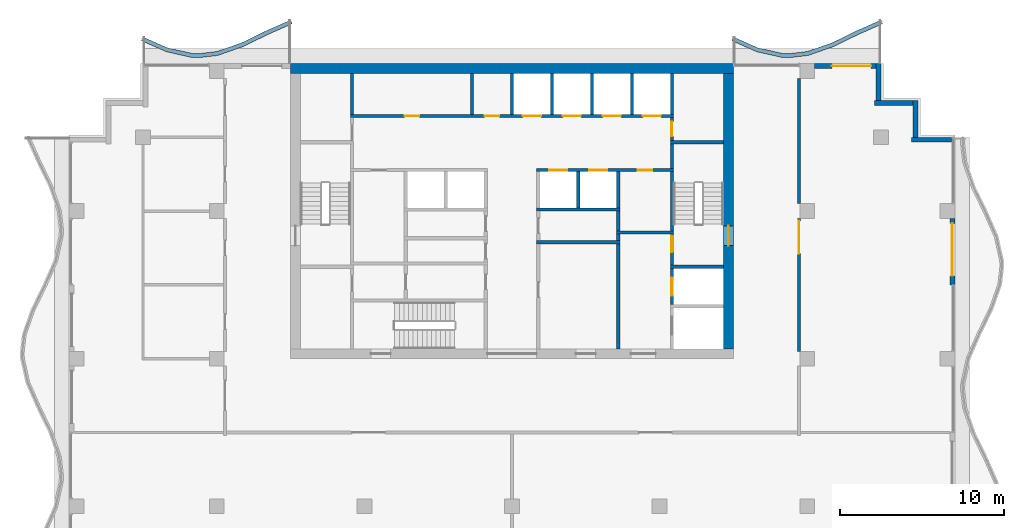
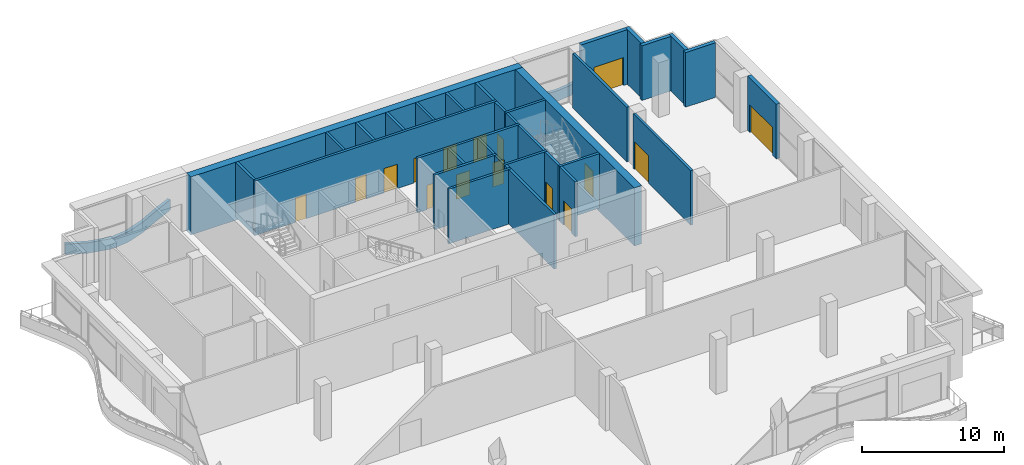
# One storey, part 9 of 14: 36 walls, 16 doors, 16 openings.
"""IFC4 building model written with IfcOpenShell, lengths in metres."""

import ifcopenshell
import ifcopenshell.guid

model = None  # the IFC model being written
_history = None  # IfcOwnerHistory: only IFC2X3 demands one
_inside = {}  # id of a spatial element -> (the spatial element, [elements in it])
_under = {}  # id of a project, library or spatial element -> (it, [spatial elements below it])
_declared = {}  # id of a project -> (the project, [libraries it declares])
_typed = {}  # id of a type object -> (the type object, [elements of that type])
_made_of = {}  # id of a material, layer set ... -> (it, [elements and type objects made of it])


def new_model(schema):
    """Start an empty IFC model of exactly this schema.

    Asked for "IFC4X3", IfcOpenShell would pick the latest addendum, in which some entities
    have other attributes; the version numbers below select the first issue.
    IFC2X3 requires an IfcOwnerHistory on every rooted entity: one is made here for all.
    """
    global model, _history
    if schema == "IFC4X3":
        model = ifcopenshell.file(schema_version=(4, 3, 0, 0))
    else:
        model = ifcopenshell.file(schema=schema)
    _inside.clear()
    _under.clear()
    _declared.clear()
    _typed.clear()
    _made_of.clear()
    _history = None
    if model.schema == "IFC2X3":
        org = make("IfcOrganization", Name="unknown")
        user = make(
            "IfcPersonAndOrganization",
            ThePerson=make("IfcPerson", FamilyName="unknown"),
            TheOrganization=org,
        )
        app = make(
            "IfcApplication",
            ApplicationDeveloper=org,
            Version="unknown",
            ApplicationFullName="unknown",
            ApplicationIdentifier="unknown",
        )
        _history = make(
            "IfcOwnerHistory",
            OwningUser=user,
            OwningApplication=app,
            ChangeAction="ADDED",
            CreationDate=0,
        )
    return model


def make(cls, **values):
    """One entity of the class cls with the attributes given. An attribute that is None is left unset."""
    return model.create_entity(
        cls, **{name: value for name, value in values.items() if value is not None}
    )


def rooted(cls, **values):
    """An entity with a GlobalId (a new one), such as an element, a storey or a relation."""
    return make(cls, GlobalId=ifcopenshell.guid.new(), OwnerHistory=_history, **values)


def si_unit(unit_type, name, prefix=None):
    """IfcSIUnit, for example si_unit("LENGTHUNIT", "METRE", prefix="MILLI")."""
    return make("IfcSIUnit", UnitType=unit_type, Prefix=prefix, Name=name)


def assignment(units):
    """IfcUnitAssignment: the units of a project."""
    return None if units is None else make("IfcUnitAssignment", Units=units)


def point(xyz):
    """IfcCartesianPoint."""
    return None if xyz is None else make("IfcCartesianPoint", Coordinates=xyz)


def direction(xyz):
    """IfcDirection."""
    return None if xyz is None else make("IfcDirection", DirectionRatios=xyz)


def frame(location, z_axis=None, x_axis=None):
    """IfcAxis2Placement3D, a coordinate frame: its origin and axes. An axis left out is left unset."""
    return make(
        "IfcAxis2Placement3D",
        Location=point(location),
        Axis=direction(z_axis),
        RefDirection=direction(x_axis),
    )


def frame_2d(location, x_axis=None):
    """IfcAxis2Placement2D, a coordinate frame in the plane: its origin and x axis."""
    return make(
        "IfcAxis2Placement2D", Location=point(location), RefDirection=direction(x_axis)
    )


def origin():
    """The frame at (0, 0, 0) with its axes left unset."""
    return frame((0.0, 0.0, 0.0))


def place(relative_to, where):
    """IfcLocalPlacement: puts the frame where relative to a parent placement (None: the world)."""
    return make(
        "IfcLocalPlacement", PlacementRelTo=relative_to, RelativePlacement=where
    )


def context(
    kind, dimensions, precision=None, world=None, true_north=None, identifier=None
):
    """IfcGeometricRepresentationContext, for example the 3D "Model" context."""
    return make(
        "IfcGeometricRepresentationContext",
        ContextIdentifier=identifier,
        ContextType=kind,
        CoordinateSpaceDimension=dimensions,
        Precision=precision,
        WorldCoordinateSystem=world,
        TrueNorth=true_north,
    )


def subcontext(parent, identifier, kind, view, scale=None):
    """IfcGeometricRepresentationSubContext, for example "Body" below "Model"."""
    return make(
        "IfcGeometricRepresentationSubContext",
        ContextIdentifier=identifier,
        ContextType=kind,
        ParentContext=parent,
        TargetScale=scale,
        TargetView=view,
    )


def project(units=None, contexts=None):
    """IfcProject with its units and contexts."""
    return rooted(
        "IfcProject",
        Name="project",
        RepresentationContexts=contexts,
        UnitsInContext=assignment(units),
    )


def spatial(cls, under=None, at=None, **own):
    """A site, building, storey or space (cls), placed at a placement, below another one or the project."""
    s = rooted(cls, ObjectPlacement=at, **own)
    if under is not None:
        _under.setdefault(under.id(), (under, []))[1].append(s)
    return s


def polyline(points):
    """IfcPolyline through the points."""
    return make("IfcPolyline", Points=[point(p) for p in points])


def profile(cls, at=None, kind="AREA", **sizes):
    """A parametric profile (cls). Its sizes go by their IFC names, for example OverallWidth=200.0."""
    return make(cls, ProfileType=kind, Position=at, **sizes)


def rectangle(**sizes):
    """IfcRectangleProfileDef."""
    return profile("IfcRectangleProfileDef", **sizes)


def outline(outer, holes=None, kind="AREA"):
    """IfcArbitraryClosedProfileDef: a profile drawn as a closed curve; with holes, ...WithVoids."""
    if holes is None:
        return make("IfcArbitraryClosedProfileDef", ProfileType=kind, OuterCurve=outer)
    return make(
        "IfcArbitraryProfileDefWithVoids",
        ProfileType=kind,
        OuterCurve=outer,
        InnerCurves=holes,
    )


def extrude(swept, where, along, depth):
    """IfcExtrudedAreaSolid: the profile swept, set in the frame where, extruded along a direction by depth."""
    return make(
        "IfcExtrudedAreaSolid",
        SweptArea=swept,
        Position=where,
        ExtrudedDirection=direction(along),
        Depth=depth,
    )


def shape(context_of_items, identifier, shape_type, items):
    """IfcShapeRepresentation: the items that make up one representation, for example the "Body"."""
    return make(
        "IfcShapeRepresentation",
        ContextOfItems=context_of_items,
        RepresentationIdentifier=identifier,
        RepresentationType=shape_type,
        Items=items,
    )


def material(Name=None, Category=None):
    """IfcMaterial."""
    return make("IfcMaterial", Name=Name, Category=Category)


def layer(
    of_material, thickness, ventilated=None, Name=None, Category=None, Priority=None
):
    """IfcMaterialLayer: one layer of a wall or slab, of a material (None: an air gap)."""
    return make(
        "IfcMaterialLayer",
        Material=of_material,
        LayerThickness=thickness,
        IsVentilated=ventilated,
        Name=Name,
        Category=Category,
        Priority=Priority,
    )


def layer_set(layers, Name=None):
    """IfcMaterialLayerSet."""
    return make("IfcMaterialLayerSet", MaterialLayers=layers, LayerSetName=Name)


def made_of(thing, what):
    """Note that an element or type object is made of a material, layer set ...; save() writes the relation."""
    if what is not None:
        _made_of.setdefault(what.id(), (what, []))[1].append(thing)
    return thing


def type_object(cls, material=None, **own):
    """A type object (cls), such as IfcWallType, which elements share."""
    return made_of(rooted(cls, **own), material)


def element(
    cls,
    number,
    at=None,
    inside=None,
    cuts=None,
    type_object=None,
    material=None,
    context=None,
    identifier="Body",
    shape_type=None,
    held_by="IfcProductDefinitionShape",
    body=None,
    shapes=None,
    **own,
):
    """One element of the class cls, such as IfcWall. Its Tag is "e" and its number.

    at: its placement. inside: the storey or other place that contains it. cuts: it is an
    opening in that element (IfcRelVoidsElement). A single representation is given by context,
    identifier, shape_type and body (its items); several are given by shapes. held_by: the class
    of the entity that holds the representations. save() writes the other relations.
    """
    e = rooted(cls, Tag="e%d" % number, ObjectPlacement=at, **own)
    if body is not None:
        shapes = [shape(context, identifier, shape_type, body)]
    if shapes is not None:
        e.Representation = make(held_by, Representations=shapes)
    if inside is not None:
        _inside.setdefault(inside.id(), (inside, []))[1].append(e)
    if cuts is not None:
        rooted(
            "IfcRelVoidsElement", RelatingBuildingElement=cuts, RelatedOpeningElement=e
        )
    if type_object is not None:
        _typed.setdefault(type_object.id(), (type_object, []))[1].append(e)
    return made_of(e, material)


def fill(opening, filler):
    """IfcRelFillsElement: the door or window that sits in an opening."""
    return rooted(
        "IfcRelFillsElement",
        RelatingOpeningElement=opening,
        RelatedBuildingElement=filler,
    )


def aggregate(whole, parts):
    """IfcRelAggregates: a whole, such as a stair, and the parts it consists of."""
    return rooted("IfcRelAggregates", RelatingObject=whole, RelatedObjects=parts)


def save(model, path):
    """Write the relations noted so far, then the file.

    IfcRelAggregates (storeys below a building ...), IfcRelContainedInSpatialStructure (elements
    in a storey), IfcRelDefinesByType, IfcRelAssociatesMaterial and IfcRelDeclares: one each for
    every whole, place, type object, material and project.
    """
    for whole, parts in _under.values():
        aggregate(whole, parts)
    for where, things in _inside.values():
        rooted(
            "IfcRelContainedInSpatialStructure",
            RelatedElements=things,
            RelatingStructure=where,
        )
    for kind, things in _typed.values():
        rooted("IfcRelDefinesByType", RelatedObjects=things, RelatingType=kind)
    for what, things in _made_of.values():
        rooted("IfcRelAssociatesMaterial", RelatedObjects=things, RelatingMaterial=what)
    for by, libraries in _declared.values():
        rooted("IfcRelDeclares", RelatingContext=by, RelatedDefinitions=libraries)
    model.write(path)


model = new_model("IFC4")

# Units and contexts
model_context = context("Model", 3, precision=1e-05, world=origin(), true_north=direction((0.0, 1.0)))
body_context = subcontext(model_context, "Body", "Model", "MODEL_VIEW")
ifc_project = project(units=[si_unit("LENGTHUNIT", "METRE"), si_unit("AREAUNIT", "SQUARE_METRE"), si_unit("VOLUMEUNIT", "CUBIC_METRE"), si_unit("PLANEANGLEUNIT", "RADIAN"), si_unit("MASSUNIT", "GRAM", prefix="KILO")], contexts=[model_context])

# Site, building, storey
site_placement = place(None, origin())
site = spatial("IfcSite", under=ifc_project, at=site_placement, CompositionType="ELEMENT")
building_placement = place(site_placement, origin())
building = spatial("IfcBuilding", under=site, at=building_placement, Name="Orbiselva Terraces", CompositionType="ELEMENT")
storey_placement = place(building_placement, frame((0.0, 0.0, 284.4)))
storey = spatial("IfcBuildingStorey", under=building, at=storey_placement, Name="L72", CompositionType="ELEMENT", Elevation=284.4)

# Wall, opening, door
ifc_material_1 = material(Name="Concrete C80/95", Category="concrete")
ifc_layer_1 = layer(ifc_material_1, 0.6)
ifc_layer_set_1 = layer_set([ifc_layer_1], Name="Concrete C80/95")
wall_type_1 = type_object("IfcWallType", Name="CORE WALL 600", PredefinedType="SHEAR", material=ifc_layer_set_1)
wall_1_placement = place(storey_placement, frame((13.2, 5.1, -0.3), z_axis=(0.0, 0.0, 1.0), x_axis=(0.0, 1.0, 0.0)))
wall_1 = element("IfcWall", 1, at=wall_1_placement, inside=storey, type_object=wall_type_1, Name="Core wall L72 east", PredefinedType="SHEAR", context=body_context, shape_type="SweptSolid", body=[
    extrude(rectangle(XDim=16.8, YDim=0.6, at=frame_2d((8.4, 0.0))), origin(), (0.0, 0.0, 1.0), 5.0),
])
opening_1_placement = place(wall_1_placement, frame((6.3, 0.0, 0.3)))
opening_1 = element("IfcOpeningElement", 2, at=opening_1_placement, cuts=wall_1, Name="Opening DS1200", PredefinedType="OPENING", context=body_context, shape_type="SweptSolid", body=[
    extrude(rectangle(XDim=1.2, YDim=2.2, at=frame_2d((0.6, 1.1))), frame((0.0, 0.31, 0.0), z_axis=(0.0, -1.0, 0.0), x_axis=(1.0, 0.0, 0.0)), (0.0, 0.0, 1.0), 0.62),
])
ifc_material_2 = material(Name="Steel fire door", Category="steel")
door_type_1 = type_object("IfcDoorType", Name="STAIR DOOR 1200", OperationType="NOTDEFINED", PredefinedType="DOOR", material=ifc_material_2)
door_1_placement = place(opening_1_placement, frame((1.2, 0.0, 0.0), z_axis=(0.0, 0.0, 1.0), x_axis=(-1.0, 0.0, 0.0)))
door_1 = element("IfcDoor", 3, at=door_1_placement, inside=storey, type_object=door_type_1, Name="L72 EXIT STAIR S2 door", OperationType="SINGLE_SWING_LEFT", OverallHeight=2.2, OverallWidth=1.2, PredefinedType="DOOR", context=body_context, shape_type="SweptSolid", body=[
    extrude(rectangle(XDim=1.2, YDim=2.2, at=frame_2d((0.6, 1.1))), frame((0.0, 0.025, 0.0), z_axis=(0.0, -1.0, 0.0), x_axis=(1.0, 0.0, 0.0)), (0.0, 0.0, 1.0), 0.05),
])
fill(opening_1, door_1)

# Walls
ifc_layer_2 = layer(ifc_material_1, 0.6)
ifc_layer_set_2 = layer_set([ifc_layer_2], Name="Concrete C80/95")
wall_type_2 = type_object("IfcWallType", Name="CORE WALL 600 EXTERNAL", PredefinedType="SHEAR", material=ifc_layer_set_2)
wall_2_placement = place(storey_placement, frame((13.5, 22.2, -0.3), z_axis=(0.0, 0.0, 1.0), x_axis=(-1.0, 0.0, 0.0)))
element("IfcWall", 4, at=wall_2_placement, inside=storey, type_object=wall_type_2, Name="Core wall L72 north", PredefinedType="SHEAR", context=body_context, shape_type="SweptSolid", body=[
    extrude(rectangle(XDim=27.0, YDim=0.6, at=frame_2d((13.5, 0.0))), origin(), (0.0, 0.0, 1.0), 5.0),
])
ifc_material_3 = material(Name="Masonry blockwork", Category="masonry")
ifc_layer_3 = layer(ifc_material_3, 0.2)
ifc_layer_set_3 = layer_set([ifc_layer_3], Name="Masonry blockwork")
wall_type_3 = type_object("IfcWallType", Name="CORE-WALL-PARTITION-200", PredefinedType="PARTITIONING", material=ifc_layer_set_3)
for number, where, z_axis, x_axis, name in (
    (5, (-9.75, 19.4, 0.0), (0.0, 0.0, 1.0), (0.0, 1.0, 0.0), "L72 core wall 12"),
    (6, (-2.4375, 19.4, 0.0), (0.0, 0.0, 1.0), (0.0, 1.0, 0.0), "L72 core wall 20"),
):
    element("IfcWall", number, at=place(storey_placement, frame(where, z_axis=z_axis, x_axis=x_axis)), inside=storey, type_object=wall_type_3, Name=name, PredefinedType="PARTITIONING", context=body_context, shape_type="SweptSolid", body=[
        extrude(rectangle(XDim=2.5, YDim=0.2, at=frame_2d((1.25, 0.0))), origin(), (0.0, 0.0, 1.0), 4.7),
    ])
wall_3_placement = place(storey_placement, frame((6.475, 12.3, 0.0), z_axis=(0.0, 0.0, 1.0), x_axis=(0.0, 1.0, 0.0)))
element("IfcWall", 7, at=wall_3_placement, inside=storey, type_object=wall_type_3, Name="L72 core wall 39", PredefinedType="PARTITIONING", context=body_context, shape_type="SweptSolid", body=[
    extrude(rectangle(XDim=1.2, YDim=0.2, at=frame_2d((0.6, 0.0))), origin(), (0.0, 0.0, 1.0), 4.7),
])

# Wall, opening, door
wall_4_placement = place(storey_placement, frame((9.75, 19.2, 0.0), z_axis=(0.0, 0.0, 1.0), x_axis=(0.0, -1.0, 0.0)))
wall_4 = element("IfcWall", 8, at=wall_4_placement, inside=storey, type_object=wall_type_3, Name="L72 core wall 50", PredefinedType="PARTITIONING", context=body_context, shape_type="SweptSolid", body=[
    extrude(rectangle(XDim=1.4, YDim=0.2, at=frame_2d((0.7, 0.0))), origin(), (0.0, 0.0, 1.0), 4.7),
])
opening_2_placement = place(wall_4_placement, frame((0.25, 0.0, 0.0)))
opening_2 = element("IfcOpeningElement", 9, at=opening_2_placement, cuts=wall_4, Name="Opening DR900", PredefinedType="OPENING", context=body_context, shape_type="SweptSolid", body=[
    extrude(rectangle(XDim=0.9, YDim=2.1, at=frame_2d((0.45, 1.05))), frame((0.0, 0.11, 0.0), z_axis=(0.0, -1.0, 0.0), x_axis=(1.0, 0.0, 0.0)), (0.0, 0.0, 1.0), 0.22),
])
door_type_2 = type_object("IfcDoorType", Name="ROOM DOOR 900", OperationType="NOTDEFINED", PredefinedType="DOOR", material=ifc_material_2)
door_2_placement = place(opening_2_placement, origin())
door_2 = element("IfcDoor", 10, at=door_2_placement, inside=storey, type_object=door_type_2, Name="L72 ELECTRICAL RISER ROOM door", OperationType="SINGLE_SWING_RIGHT", OverallHeight=2.1, OverallWidth=0.9, PredefinedType="DOOR", context=body_context, shape_type="SweptSolid", body=[
    extrude(rectangle(XDim=0.9, YDim=2.1, at=frame_2d((0.45, 1.05))), frame((0.0, 0.025, 0.0), z_axis=(0.0, -1.0, 0.0), x_axis=(1.0, 0.0, 0.0)), (0.0, 0.0, 1.0), 0.05),
])
fill(opening_2, door_2)

# Walls
ifc_material_4 = material(Name="Concrete C40/50", Category="concrete")
ifc_layer_4 = layer(ifc_material_4, 0.2)
ifc_layer_set_4 = layer_set([ifc_layer_4], Name="Concrete C40/50")
wall_type_4 = type_object("IfcWallType", Name="CORE-WALL-SHAFT-200", PredefinedType="PARTITIONING", material=ifc_layer_set_4)
for number, where, z_axis, x_axis, name in (
    (11, (0.0, 19.4, 0.0), (0.0, 0.0, 1.0), (0.0, 1.0, 0.0), "L72 core wall 26"),
    (12, (2.4375, 19.4, 0.0), (0.0, 0.0, 1.0), (0.0, 1.0, 0.0), "L72 core wall 33"),
):
    element("IfcWall", number, at=place(storey_placement, frame(where, z_axis=z_axis, x_axis=x_axis)), inside=storey, type_object=wall_type_4, Name=name, PredefinedType="PARTITIONING", context=body_context, shape_type="SweptSolid", body=[
        extrude(rectangle(XDim=2.5, YDim=0.2, at=frame_2d((1.25, 0.0))), origin(), (0.0, 0.0, 1.0), 4.7),
    ])
wall_5_placement = place(storey_placement, frame((4.0375, 13.7, 0.0), z_axis=(0.0, 0.0, 1.0), x_axis=(0.0, 1.0, 0.0)))
element("IfcWall", 13, at=wall_5_placement, inside=storey, type_object=wall_type_4, Name="L72 core wall 34", PredefinedType="PARTITIONING", context=body_context, shape_type="SweptSolid", body=[
    extrude(rectangle(XDim=2.2, YDim=0.2, at=frame_2d((1.1, 0.0))), origin(), (0.0, 0.0, 1.0), 4.7),
])
wall_6_placement = place(storey_placement, frame((4.875, 19.4, 0.0), z_axis=(0.0, 0.0, 1.0), x_axis=(0.0, 1.0, 0.0)))
element("IfcWall", 14, at=wall_6_placement, inside=storey, type_object=wall_type_4, Name="L72 core wall 35", PredefinedType="PARTITIONING", context=body_context, shape_type="SweptSolid", body=[
    extrude(rectangle(XDim=2.5, YDim=0.2, at=frame_2d((1.25, 0.0))), origin(), (0.0, 0.0, 1.0), 4.7),
])
wall_7_placement = place(storey_placement, frame((6.475, 13.7, 0.0), z_axis=(0.0, 0.0, 1.0), x_axis=(0.0, 1.0, 0.0)))
element("IfcWall", 15, at=wall_7_placement, inside=storey, type_object=wall_type_4, Name="L72 core wall 40", PredefinedType="PARTITIONING", context=body_context, shape_type="SweptSolid", body=[
    extrude(rectangle(XDim=2.2, YDim=0.2, at=frame_2d((1.1, 0.0))), origin(), (0.0, 0.0, 1.0), 4.7),
])
for number, where, z_axis, x_axis, name in (
    (16, (7.3125, 19.4, 0.0), (0.0, 0.0, 1.0), (0.0, 1.0, 0.0), "L72 core wall 41"),
    (17, (9.75, 19.4, 0.0), (0.0, 0.0, 1.0), (0.0, 1.0, 0.0), "L72 core wall 51"),
):
    element("IfcWall", number, at=place(storey_placement, frame(where, z_axis=z_axis, x_axis=x_axis)), inside=storey, type_object=wall_type_4, Name=name, PredefinedType="PARTITIONING", context=body_context, shape_type="SweptSolid", body=[
        extrude(rectangle(XDim=2.5, YDim=0.2, at=frame_2d((1.25, 0.0))), origin(), (0.0, 0.0, 1.0), 4.7),
    ])

# Wall, openings, doors
ifc_material_5 = material(Name="Concrete C60/75", Category="concrete")
ifc_layer_5 = layer(ifc_material_5, 0.2)
ifc_layer_set_5 = layer_set([ifc_layer_5], Name="Concrete C60/75")
wall_type_5 = type_object("IfcWallType", Name="CORE-WALL-SHEAR-200", PredefinedType="SHEAR", material=ifc_layer_set_5)
wall_8_placement = place(storey_placement, frame((-9.85, 19.3, 0.0), z_axis=(0.0, 0.0, 1.0), x_axis=(1.0, 0.0, 0.0)))
wall_8 = element("IfcWall", 18, at=wall_8_placement, inside=storey, type_object=wall_type_5, Name="L72 core wall 11", PredefinedType="SHEAR", context=body_context, shape_type="SweptSolid", body=[
    extrude(rectangle(XDim=19.7, YDim=0.2, at=frame_2d((9.85, 0.0))), origin(), (0.0, 0.0, 1.0), 4.7),
])
opening_3_placement = place(wall_8_placement, frame((10.51875, 0.0, 0.0)))
opening_3 = element("IfcOpeningElement", 19, at=opening_3_placement, cuts=wall_8, Name="Opening LD-HR1", PredefinedType="OPENING", context=body_context, shape_type="SweptSolid", body=[
    extrude(rectangle(XDim=1.1, YDim=2.1, at=frame_2d((0.55, 1.05))), frame((0.0, 0.11, 0.0), z_axis=(0.0, -1.0, 0.0), x_axis=(1.0, 0.0, 0.0)), (0.0, 0.0, 1.0), 0.22),
])
opening_4_placement = place(wall_8_placement, frame((12.95625, 0.0, 0.0)))
opening_4 = element("IfcOpeningElement", 20, at=opening_4_placement, cuts=wall_8, Name="Opening LD-HR2", PredefinedType="OPENING", context=body_context, shape_type="SweptSolid", body=[
    extrude(rectangle(XDim=1.1, YDim=2.1, at=frame_2d((0.55, 1.05))), frame((0.0, 0.11, 0.0), z_axis=(0.0, -1.0, 0.0), x_axis=(1.0, 0.0, 0.0)), (0.0, 0.0, 1.0), 0.22),
])
opening_5_placement = place(wall_8_placement, frame((15.39375, 0.0, 0.0)))
opening_5 = element("IfcOpeningElement", 21, at=opening_5_placement, cuts=wall_8, Name="Opening LD-HR3", PredefinedType="OPENING", context=body_context, shape_type="SweptSolid", body=[
    extrude(rectangle(XDim=1.1, YDim=2.1, at=frame_2d((0.55, 1.05))), frame((0.0, 0.11, 0.0), z_axis=(0.0, -1.0, 0.0), x_axis=(1.0, 0.0, 0.0)), (0.0, 0.0, 1.0), 0.22),
])
opening_6_placement = place(wall_8_placement, frame((17.83125, 0.0, 0.0)))
opening_6 = element("IfcOpeningElement", 22, at=opening_6_placement, cuts=wall_8, Name="Opening LD-HR4", PredefinedType="OPENING", context=body_context, shape_type="SweptSolid", body=[
    extrude(rectangle(XDim=1.1, YDim=2.1, at=frame_2d((0.55, 1.05))), frame((0.0, 0.11, 0.0), z_axis=(0.0, -1.0, 0.0), x_axis=(1.0, 0.0, 0.0)), (0.0, 0.0, 1.0), 0.22),
])
opening_7_placement = place(wall_8_placement, frame((3.3062, 0.0, 0.0)))
opening_7 = element("IfcOpeningElement", 23, at=opening_7_placement, cuts=wall_8, Name="Opening DR900", PredefinedType="OPENING", context=body_context, shape_type="SweptSolid", body=[
    extrude(rectangle(XDim=0.9, YDim=2.1, at=frame_2d((0.45, 1.05))), frame((0.0, 0.11, 0.0), z_axis=(0.0, -1.0, 0.0), x_axis=(1.0, 0.0, 0.0)), (0.0, 0.0, 1.0), 0.22),
])
opening_8_placement = place(wall_8_placement, frame((8.1812, 0.0, 0.0)))
opening_8 = element("IfcOpeningElement", 24, at=opening_8_placement, cuts=wall_8, Name="Opening DR900", PredefinedType="OPENING", context=body_context, shape_type="SweptSolid", body=[
    extrude(rectangle(XDim=0.9, YDim=2.1, at=frame_2d((0.45, 1.05))), frame((0.0, 0.11, 0.0), z_axis=(0.0, -1.0, 0.0), x_axis=(1.0, 0.0, 0.0)), (0.0, 0.0, 1.0), 0.22),
])
ifc_material_6 = material(Name="Stainless steel landing door", Category="steel")
door_type_3 = type_object("IfcDoorType", Name="LANDING DOOR 1100", OperationType="SLIDING_TO_LEFT", PredefinedType="DOOR", material=ifc_material_6)
door_3_placement = place(opening_3_placement, origin())
door_3 = element("IfcDoor", 25, at=door_3_placement, inside=storey, type_object=door_type_3, Name="L72 landing door HR1", OperationType="SLIDING_TO_RIGHT", OverallHeight=2.1, OverallWidth=1.1, PredefinedType="DOOR", context=body_context, shape_type="SweptSolid", body=[
    extrude(rectangle(XDim=1.1, YDim=2.1, at=frame_2d((0.55, 1.05))), frame((0.0, 0.025, 0.0), z_axis=(0.0, -1.0, 0.0), x_axis=(1.0, 0.0, 0.0)), (0.0, 0.0, 1.0), 0.05),
])
fill(opening_3, door_3)
door_4_placement = place(opening_4_placement, origin())
door_4 = element("IfcDoor", 26, at=door_4_placement, inside=storey, type_object=door_type_3, Name="L72 landing door HR2", OperationType="SLIDING_TO_RIGHT", OverallHeight=2.1, OverallWidth=1.1, PredefinedType="DOOR", context=body_context, shape_type="SweptSolid", body=[
    extrude(rectangle(XDim=1.1, YDim=2.1, at=frame_2d((0.55, 1.05))), frame((0.0, 0.025, 0.0), z_axis=(0.0, -1.0, 0.0), x_axis=(1.0, 0.0, 0.0)), (0.0, 0.0, 1.0), 0.05),
])
fill(opening_4, door_4)
door_5_placement = place(opening_5_placement, origin())
door_5 = element("IfcDoor", 27, at=door_5_placement, inside=storey, type_object=door_type_3, Name="L72 landing door HR3", OperationType="SLIDING_TO_RIGHT", OverallHeight=2.1, OverallWidth=1.1, PredefinedType="DOOR", context=body_context, shape_type="SweptSolid", body=[
    extrude(rectangle(XDim=1.1, YDim=2.1, at=frame_2d((0.55, 1.05))), frame((0.0, 0.025, 0.0), z_axis=(0.0, -1.0, 0.0), x_axis=(1.0, 0.0, 0.0)), (0.0, 0.0, 1.0), 0.05),
])
fill(opening_5, door_5)
door_6_placement = place(opening_6_placement, origin())
door_6 = element("IfcDoor", 28, at=door_6_placement, inside=storey, type_object=door_type_3, Name="L72 landing door HR4", OperationType="SLIDING_TO_RIGHT", OverallHeight=2.1, OverallWidth=1.1, PredefinedType="DOOR", context=body_context, shape_type="SweptSolid", body=[
    extrude(rectangle(XDim=1.1, YDim=2.1, at=frame_2d((0.55, 1.05))), frame((0.0, 0.025, 0.0), z_axis=(0.0, -1.0, 0.0), x_axis=(1.0, 0.0, 0.0)), (0.0, 0.0, 1.0), 0.05),
])
fill(opening_6, door_6)
door_7_placement = place(opening_7_placement, origin())
door_7 = element("IfcDoor", 29, at=door_7_placement, inside=storey, type_object=door_type_2, Name="L72 SERVICE LOUNGE door", OperationType="SINGLE_SWING_LEFT", OverallHeight=2.1, OverallWidth=0.9, PredefinedType="DOOR", context=body_context, shape_type="SweptSolid", body=[
    extrude(rectangle(XDim=0.9, YDim=2.1, at=frame_2d((0.45, 1.05))), frame((0.0, 0.025, 0.0), z_axis=(0.0, -1.0, 0.0), x_axis=(1.0, 0.0, 0.0)), (0.0, 0.0, 1.0), 0.05),
])
fill(opening_7, door_7)
door_8_placement = place(opening_8_placement, origin())
door_8 = element("IfcDoor", 30, at=door_8_placement, inside=storey, type_object=door_type_2, Name="L72 STAFF WC door", OperationType="SINGLE_SWING_LEFT", OverallHeight=2.1, OverallWidth=0.9, PredefinedType="DOOR", context=body_context, shape_type="SweptSolid", body=[
    extrude(rectangle(XDim=0.9, YDim=2.1, at=frame_2d((0.45, 1.05))), frame((0.0, 0.025, 0.0), z_axis=(0.0, -1.0, 0.0), x_axis=(1.0, 0.0, 0.0)), (0.0, 0.0, 1.0), 0.05),
])
fill(opening_8, door_8)

# Walls
for number, where, z_axis, x_axis, name in (
    (31, (1.5, 11.6, 0.0), (0.0, 0.0, 1.0), (1.0, 0.0, 0.0), "L72 core wall 28"),
    (32, (1.5, 13.6, 0.0), (0.0, 0.0, 1.0), (1.0, 0.0, 0.0), "L72 core wall 30"),
):
    element("IfcWall", number, at=place(storey_placement, frame(where, z_axis=z_axis, x_axis=x_axis)), inside=storey, type_object=wall_type_5, Name=name, PredefinedType="SHEAR", context=body_context, shape_type="SweptSolid", body=[
        extrude(rectangle(XDim=5.075, YDim=0.2, at=frame_2d((2.5375, 0.0))), origin(), (0.0, 0.0, 1.0), 4.7),
    ])

# Wall, openings, doors
wall_9_placement = place(storey_placement, frame((9.85, 16.0, 0.0), z_axis=(0.0, 0.0, 1.0), x_axis=(-1.0, 0.0, 0.0)))
wall_9 = element("IfcWall", 33, at=wall_9_placement, inside=storey, type_object=wall_type_5, Name="L72 core wall 32", PredefinedType="SHEAR", context=body_context, shape_type="SweptSolid", body=[
    extrude(rectangle(XDim=8.35, YDim=0.2, at=frame_2d((4.175, 0.0))), origin(), (0.0, 0.0, 1.0), 4.7),
])
opening_9_placement = place(wall_9_placement, frame((6.48125, 0.0, 0.0)))
opening_9 = element("IfcOpeningElement", 34, at=opening_9_placement, cuts=wall_9, Name="Opening LD-HR5", PredefinedType="OPENING", context=body_context, shape_type="SweptSolid", body=[
    extrude(rectangle(XDim=1.1, YDim=2.1, at=frame_2d((0.55, 1.05))), frame((0.0, 0.11, 0.0), z_axis=(0.0, -1.0, 0.0), x_axis=(1.0, 0.0, 0.0)), (0.0, 0.0, 1.0), 0.22),
])
opening_10_placement = place(wall_9_placement, frame((4.04375, 0.0, 0.0)))
opening_10 = element("IfcOpeningElement", 35, at=opening_10_placement, cuts=wall_9, Name="Opening LD-HR6", PredefinedType="OPENING", context=body_context, shape_type="SweptSolid", body=[
    extrude(rectangle(XDim=1.1, YDim=2.1, at=frame_2d((0.55, 1.05))), frame((0.0, 0.11, 0.0), z_axis=(0.0, -1.0, 0.0), x_axis=(1.0, 0.0, 0.0)), (0.0, 0.0, 1.0), 0.22),
])
opening_11_placement = place(wall_9_placement, frame((1.2875, 0.0, 0.0)))
opening_11 = element("IfcOpeningElement", 36, at=opening_11_placement, cuts=wall_9, Name="Opening DR900", PredefinedType="OPENING", context=body_context, shape_type="SweptSolid", body=[
    extrude(rectangle(XDim=0.9, YDim=2.1, at=frame_2d((0.45, 1.05))), frame((0.0, 0.11, 0.0), z_axis=(0.0, -1.0, 0.0), x_axis=(1.0, 0.0, 0.0)), (0.0, 0.0, 1.0), 0.22),
])
door_9_placement = place(opening_9_placement, origin())
door_9 = element("IfcDoor", 37, at=door_9_placement, inside=storey, type_object=door_type_3, Name="L72 landing door HR5", OperationType="SLIDING_TO_RIGHT", OverallHeight=2.1, OverallWidth=1.1, PredefinedType="DOOR", context=body_context, shape_type="SweptSolid", body=[
    extrude(rectangle(XDim=1.1, YDim=2.1, at=frame_2d((0.55, 1.05))), frame((0.0, 0.025, 0.0), z_axis=(0.0, -1.0, 0.0), x_axis=(1.0, 0.0, 0.0)), (0.0, 0.0, 1.0), 0.05),
])
fill(opening_9, door_9)
door_10_placement = place(opening_10_placement, origin())
door_10 = element("IfcDoor", 38, at=door_10_placement, inside=storey, type_object=door_type_3, Name="L72 landing door HR6", OperationType="SLIDING_TO_RIGHT", OverallHeight=2.1, OverallWidth=1.1, PredefinedType="DOOR", context=body_context, shape_type="SweptSolid", body=[
    extrude(rectangle(XDim=1.1, YDim=2.1, at=frame_2d((0.55, 1.05))), frame((0.0, 0.025, 0.0), z_axis=(0.0, -1.0, 0.0), x_axis=(1.0, 0.0, 0.0)), (0.0, 0.0, 1.0), 0.05),
])
fill(opening_10, door_10)
door_11_placement = place(opening_11_placement, origin())
door_11 = element("IfcDoor", 39, at=door_11_placement, inside=storey, type_object=door_type_2, Name="L72 PIPE RISER ROOM door", OperationType="SINGLE_SWING_LEFT", OverallHeight=2.1, OverallWidth=0.9, PredefinedType="DOOR", context=body_context, shape_type="SweptSolid", body=[
    extrude(rectangle(XDim=0.9, YDim=2.1, at=frame_2d((0.45, 1.05))), frame((0.0, 0.025, 0.0), z_axis=(0.0, -1.0, 0.0), x_axis=(1.0, 0.0, 0.0)), (0.0, 0.0, 1.0), 0.05),
])
fill(opening_11, door_11)

# Walls
wall_10_placement = place(storey_placement, frame((6.475, 5.1, 0.0), z_axis=(0.0, 0.0, 1.0), x_axis=(0.0, 1.0, 0.0)))
element("IfcWall", 40, at=wall_10_placement, inside=storey, type_object=wall_type_5, Name="L72 core wall 36", PredefinedType="SHEAR", context=body_context, shape_type="SweptSolid", body=[
    extrude(rectangle(XDim=6.4, YDim=0.2, at=frame_2d((3.2, 0.0))), origin(), (0.0, 0.0, 1.0), 4.7),
])
wall_11_placement = place(storey_placement, frame((6.475, 11.7, 0.0), z_axis=(0.0, 0.0, 1.0), x_axis=(0.0, 1.0, 0.0)))
element("IfcWall", 41, at=wall_11_placement, inside=storey, type_object=wall_type_5, Name="L72 core wall 37", PredefinedType="SHEAR", context=body_context, shape_type="SweptSolid", body=[
    extrude(rectangle(XDim=0.4, YDim=0.2, at=frame_2d((0.2, 0.0))), origin(), (0.0, 0.0, 1.0), 4.7),
])
wall_12_placement = place(storey_placement, frame((6.375, 12.2, 0.0), z_axis=(0.0, 0.0, 1.0), x_axis=(1.0, 0.0, 0.0)))
element("IfcWall", 42, at=wall_12_placement, inside=storey, type_object=wall_type_5, Name="L72 core wall 38", PredefinedType="SHEAR", context=body_context, shape_type="SweptSolid", body=[
    extrude(rectangle(XDim=3.475, YDim=0.2, at=frame_2d((1.7375, 0.0))), origin(), (0.0, 0.0, 1.0), 4.7),
])

# Wall, opening, door
wall_13_placement = place(storey_placement, frame((9.75, 7.8, 0.0), z_axis=(0.0, 0.0, 1.0), x_axis=(0.0, 1.0, 0.0)))
wall_13 = element("IfcWall", 43, at=wall_13_placement, inside=storey, type_object=wall_type_5, Name="L72 core wall 44", PredefinedType="SHEAR", context=body_context, shape_type="SweptSolid", body=[
    extrude(rectangle(XDim=2.2, YDim=0.2, at=frame_2d((1.1, 0.0))), origin(), (0.0, 0.0, 1.0), 4.7),
])
opening_12_placement = place(wall_13_placement, frame((0.55, 0.0, 0.0)))
opening_12 = element("IfcOpeningElement", 44, at=opening_12_placement, cuts=wall_13, Name="Opening LD-FF2", PredefinedType="OPENING", context=body_context, shape_type="SweptSolid", body=[
    extrude(rectangle(XDim=1.1, YDim=2.1, at=frame_2d((0.55, 1.05))), frame((0.0, 0.11, 0.0), z_axis=(0.0, -1.0, 0.0), x_axis=(1.0, 0.0, 0.0)), (0.0, 0.0, 1.0), 0.22),
])
door_12_placement = place(opening_12_placement, origin())
door_12 = element("IfcDoor", 45, at=door_12_placement, inside=storey, type_object=door_type_3, Name="L72 landing door FF2", OperationType="SLIDING_TO_RIGHT", OverallHeight=2.1, OverallWidth=1.1, PredefinedType="DOOR", context=body_context, shape_type="SweptSolid", body=[
    extrude(rectangle(XDim=1.1, YDim=2.1, at=frame_2d((0.55, 1.05))), frame((0.0, 0.025, 0.0), z_axis=(0.0, -1.0, 0.0), x_axis=(1.0, 0.0, 0.0)), (0.0, 0.0, 1.0), 0.05),
])
fill(opening_12, door_12)

# Wall
wall_14_placement = place(storey_placement, frame((9.65, 10.1, 0.0), z_axis=(0.0, 0.0, 1.0), x_axis=(1.0, 0.0, 0.0)))
element("IfcWall", 46, at=wall_14_placement, inside=storey, type_object=wall_type_5, Name="L72 core wall 45", PredefinedType="SHEAR", context=body_context, shape_type="SweptSolid", body=[
    extrude(rectangle(XDim=3.25, YDim=0.2, at=frame_2d((1.625, 0.0))), origin(), (0.0, 0.0, 1.0), 4.7),
])

# Wall, opening, door
wall_15_placement = place(storey_placement, frame((9.75, 12.1, 0.0), z_axis=(0.0, 0.0, 1.0), x_axis=(0.0, -1.0, 0.0)))
wall_15 = element("IfcWall", 47, at=wall_15_placement, inside=storey, type_object=wall_type_5, Name="L72 core wall 46", PredefinedType="SHEAR", context=body_context, shape_type="SweptSolid", body=[
    extrude(rectangle(XDim=1.9, YDim=0.2, at=frame_2d((0.95, 0.0))), origin(), (0.0, 0.0, 1.0), 4.7),
])
opening_13_placement = place(wall_15_placement, frame((0.1, 0.0, 0.0)))
opening_13 = element("IfcOpeningElement", 48, at=opening_13_placement, cuts=wall_15, Name="Opening DS1000", PredefinedType="OPENING", context=body_context, shape_type="SweptSolid", body=[
    extrude(rectangle(XDim=1.0, YDim=2.2, at=frame_2d((0.5, 1.1))), frame((0.0, 0.11, 0.0), z_axis=(0.0, -1.0, 0.0), x_axis=(1.0, 0.0, 0.0)), (0.0, 0.0, 1.0), 0.22),
])
door_type_4 = type_object("IfcDoorType", Name="STAIR DOOR 1000", OperationType="NOTDEFINED", PredefinedType="DOOR", material=ifc_material_2)
door_13_placement = place(opening_13_placement, origin())
door_13 = element("IfcDoor", 49, at=door_13_placement, inside=storey, type_object=door_type_4, Name="L72 FIRE-FIGHTING LOBBY TO EXIT STAIR S2 door", OperationType="SINGLE_SWING_LEFT", OverallHeight=2.2, OverallWidth=1.0, PredefinedType="DOOR", context=body_context, shape_type="SweptSolid", body=[
    extrude(rectangle(XDim=1.0, YDim=2.2, at=frame_2d((0.5, 1.1))), frame((0.0, 0.025, 0.0), z_axis=(0.0, -1.0, 0.0), x_axis=(1.0, 0.0, 0.0)), (0.0, 0.0, 1.0), 0.05),
])
fill(opening_13, door_13)

# Walls
wall_16_placement = place(storey_placement, frame((9.75, 12.3, 0.0), z_axis=(0.0, 0.0, 1.0), x_axis=(0.0, 1.0, 0.0)))
element("IfcWall", 50, at=wall_16_placement, inside=storey, type_object=wall_type_5, Name="L72 core wall 47", PredefinedType="SHEAR", context=body_context, shape_type="SweptSolid", body=[
    extrude(rectangle(XDim=3.6, YDim=0.2, at=frame_2d((1.8, 0.0))), origin(), (0.0, 0.0, 1.0), 4.7),
])
wall_17_placement = place(storey_placement, frame((9.75, 16.1, 0.0), z_axis=(0.0, 0.0, 1.0), x_axis=(0.0, 1.0, 0.0)))
element("IfcWall", 51, at=wall_17_placement, inside=storey, type_object=wall_type_5, Name="L72 core wall 48", PredefinedType="SHEAR", context=body_context, shape_type="SweptSolid", body=[
    extrude(rectangle(XDim=1.5, YDim=0.2, at=frame_2d((0.75, 0.0))), origin(), (0.0, 0.0, 1.0), 4.7),
])
wall_18_placement = place(storey_placement, frame((9.65, 17.7, 0.0), z_axis=(0.0, 0.0, 1.0), x_axis=(1.0, 0.0, 0.0)))
element("IfcWall", 52, at=wall_18_placement, inside=storey, type_object=wall_type_5, Name="L72 core wall 49", PredefinedType="SHEAR", context=body_context, shape_type="SweptSolid", body=[
    extrude(rectangle(XDim=3.25, YDim=0.2, at=frame_2d((1.625, 0.0))), origin(), (0.0, 0.0, 1.0), 4.7),
])
ifc_layer_6 = layer(ifc_material_4, 0.25)
ifc_layer_set_6 = layer_set([ifc_layer_6], Name="Concrete C40/50")
wall_type_6 = type_object("IfcWallType", Name="ENV-PLANTER-250x900", PredefinedType="USERDEFINED", material=ifc_layer_set_6)
wall_19_placement = place(storey_placement, origin())
element("IfcWall", 53, at=wall_19_placement, inside=storey, type_object=wall_type_6, Name="Balcony planter L72 NE", ObjectType="PLANTER", PredefinedType="USERDEFINED", context=body_context, shape_type="SweptSolid", body=[
    extrude(outline(polyline([(22.5, 25.148528), (21.0, 24.487721), (19.5, 23.755211), (18.0, 23.230792), (16.875, 23.1), (16.5, 23.114774), (15.0, 23.451472), (13.5, 24.112279), (13.399212, 23.883496), (14.921492, 23.212874), (16.467435, 22.865863), (16.884572, 22.849429), (18.056371, 22.985662), (19.59644, 23.524089), (21.105286, 24.260919), (22.600788, 24.919745), (22.5, 25.148528)])), origin(), (0.0, 0.0, 1.0), 0.9),
])
wall_20_placement = place(storey_placement, origin())
element("IfcWall", 54, at=wall_20_placement, inside=storey, type_object=wall_type_6, Name="Balcony planter L72 NW", ObjectType="PLANTER", PredefinedType="USERDEFINED", context=body_context, shape_type="SweptSolid", body=[
    extrude(outline(polyline([(-13.5, 25.148528), (-15.0, 24.487721), (-16.5, 23.755211), (-18.0, 23.230792), (-19.125, 23.1), (-19.5, 23.114774), (-21.0, 23.451472), (-22.5, 24.112279), (-22.600788, 23.883496), (-21.078508, 23.212874), (-19.532565, 22.865863), (-19.115428, 22.849429), (-17.943629, 22.985662), (-16.40356, 23.524089), (-14.894714, 24.260919), (-13.399212, 24.919745), (-13.5, 25.148528)])), origin(), (0.0, 0.0, 1.0), 0.9),
])

# Wall, opening, door
ifc_material_7 = material(Name="Terracotta cladding on masonry backing", Category="masonry")
ifc_layer_7 = layer(ifc_material_7, 0.3)
ifc_layer_set_7 = layer_set([ifc_layer_7], Name="Terracotta cladding on masonry backing")
wall_type_7 = type_object("IfcWallType", Name="ENV-WALL-TERRACOTTA-300", PredefinedType="SOLIDWALL", material=ifc_layer_set_7)
wall_21_placement = place(storey_placement, frame((26.85, 13.05, 0.0), z_axis=(0.0, 0.0, 1.0), x_axis=(0.0, -1.0, 0.0)))
wall_21 = element("IfcWall", 55, at=wall_21_placement, inside=storey, type_object=wall_type_7, Name="Facade wall L72 E", PredefinedType="SOLIDWALL", context=body_context, shape_type="SweptSolid", body=[
    extrude(rectangle(XDim=4.05, YDim=0.3, at=frame_2d((2.025, 0.0))), origin(), (0.0, 0.0, 1.0), 4.7),
])
opening_14_placement = place(wall_21_placement, frame((0.3, 0.0, 0.0)))
opening_14 = element("IfcOpeningElement", 56, at=opening_14_placement, cuts=wall_21, Name="Opening SKY-5-E07", PredefinedType="OPENING", context=body_context, shape_type="SweptSolid", body=[
    extrude(rectangle(XDim=3.2, YDim=2.4, at=frame_2d((1.6, 1.2))), frame((0.0, 0.16, 0.0), z_axis=(0.0, -1.0, 0.0), x_axis=(1.0, 0.0, 0.0)), (0.0, 0.0, 1.0), 0.32),
])
ifc_material_8 = material(Name="Clear low-e glazing in aluminium frame", Category="aluminium")
door_type_5 = type_object("IfcDoorType", Name="BALCONY DOOR 3200 X 2400", OperationType="DOUBLE_DOOR_SLIDING", PredefinedType="DOOR", material=ifc_material_8)
door_14_placement = place(opening_14_placement, origin())
door_14 = element("IfcDoor", 57, at=door_14_placement, inside=storey, type_object=door_type_5, Name="SKY-5-E07", OperationType="SINGLE_SWING_LEFT", OverallHeight=2.4, OverallWidth=3.2, PredefinedType="DOOR", context=body_context, shape_type="SweptSolid", body=[
    extrude(rectangle(XDim=3.2, YDim=2.4, at=frame_2d((1.6, 1.2))), frame((0.0, 0.025, 0.0), z_axis=(0.0, -1.0, 0.0), x_axis=(1.0, 0.0, 0.0)), (0.0, 0.0, 1.0), 0.05),
])
fill(opening_14, door_14)

# Walls
wall_22_placement = place(storey_placement, frame((24.35, 17.85, 0.0), z_axis=(0.0, 0.0, 1.0), x_axis=(1.0, 0.0, 0.0)))
element("IfcWall", 58, at=wall_22_placement, inside=storey, type_object=wall_type_7, Name="Facade wall L72 STEP", PredefinedType="SOLIDWALL", context=body_context, shape_type="SweptSolid", body=[
    extrude(rectangle(XDim=2.45, YDim=0.3, at=frame_2d((1.225, 0.0))), origin(), (0.0, 0.0, 1.0), 4.7),
])
wall_23_placement = place(storey_placement, frame((24.6, 20.25, 0.0), z_axis=(0.0, 0.0, 1.0), x_axis=(0.0, -1.0, 0.0)))
element("IfcWall", 59, at=wall_23_placement, inside=storey, type_object=wall_type_7, Name="Facade wall L72 STEP", PredefinedType="SOLIDWALL", context=body_context, shape_type="SweptSolid", body=[
    extrude(rectangle(XDim=2.25, YDim=0.3, at=frame_2d((1.125, 0.0))), origin(), (0.0, 0.0, 1.0), 4.7),
])
wall_24_placement = place(storey_placement, frame((22.1, 20.1, 0.0), z_axis=(0.0, 0.0, 1.0), x_axis=(1.0, 0.0, 0.0)))
element("IfcWall", 60, at=wall_24_placement, inside=storey, type_object=wall_type_7, Name="Facade wall L72 STEP", PredefinedType="SOLIDWALL", context=body_context, shape_type="SweptSolid", body=[
    extrude(rectangle(XDim=2.35, YDim=0.3, at=frame_2d((1.175, 0.0))), origin(), (0.0, 0.0, 1.0), 4.7),
])
wall_25_placement = place(storey_placement, frame((22.35, 22.5, 0.0), z_axis=(0.0, 0.0, 1.0), x_axis=(0.0, -1.0, 0.0)))
element("IfcWall", 61, at=wall_25_placement, inside=storey, type_object=wall_type_7, Name="Facade wall L72 STEP", PredefinedType="SOLIDWALL", context=body_context, shape_type="SweptSolid", body=[
    extrude(rectangle(XDim=2.25, YDim=0.3, at=frame_2d((1.125, 0.0))), origin(), (0.0, 0.0, 1.0), 4.7),
])

# Wall, opening, door
wall_26_placement = place(storey_placement, frame((18.45, 22.35, 0.0), z_axis=(0.0, 0.0, 1.0), x_axis=(1.0, 0.0, 0.0)))
wall_26 = element("IfcWall", 62, at=wall_26_placement, inside=storey, type_object=wall_type_7, Name="Facade wall L72 NE", PredefinedType="SOLIDWALL", context=body_context, shape_type="SweptSolid", body=[
    extrude(rectangle(XDim=3.75, YDim=0.3, at=frame_2d((1.875, 0.0))), origin(), (0.0, 0.0, 1.0), 4.7),
])
opening_15_placement = place(wall_26_placement, frame((1.05, 0.0, 0.0)))
opening_15 = element("IfcOpeningElement", 63, at=opening_15_placement, cuts=wall_26, Name="Opening SKY-5-E08", PredefinedType="OPENING", context=body_context, shape_type="SweptSolid", body=[
    extrude(rectangle(XDim=2.4, YDim=2.4, at=frame_2d((1.2, 1.2))), frame((0.0, 0.16, 0.0), z_axis=(0.0, -1.0, 0.0), x_axis=(1.0, 0.0, 0.0)), (0.0, 0.0, 1.0), 0.32),
])
door_type_6 = type_object("IfcDoorType", Name="BALCONY DOOR 2400 X 2400", OperationType="DOUBLE_DOOR_SLIDING", PredefinedType="DOOR", material=ifc_material_8)
door_15_placement = place(opening_15_placement, origin())
door_15 = element("IfcDoor", 64, at=door_15_placement, inside=storey, type_object=door_type_6, Name="SKY-5-E08", OperationType="SINGLE_SWING_LEFT", OverallHeight=2.4, OverallWidth=2.4, PredefinedType="DOOR", context=body_context, shape_type="SweptSolid", body=[
    extrude(rectangle(XDim=2.4, YDim=2.4, at=frame_2d((1.2, 1.2))), frame((0.0, 0.025, 0.0), z_axis=(0.0, -1.0, 0.0), x_axis=(1.0, 0.0, 0.0)), (0.0, 0.0, 1.0), 0.05),
])
fill(opening_15, door_15)

ifc_material_9 = material(Name="Plasterboard on steel stud partition", Category="steel")
ifc_layer_8 = layer(ifc_material_9, 0.2)
ifc_layer_set_8 = layer_set([ifc_layer_8], Name="Plasterboard on steel stud partition")
wall_type_8 = type_object("IfcWallType", Name="UNIT-ENTRANCE-WALL-200", PredefinedType="PARTITIONING", material=ifc_layer_set_8)
wall_27_placement = place(storey_placement, frame((17.5, 4.95, 0.0), z_axis=(0.0, 0.0, 1.0), x_axis=(0.0, 1.0, 0.0)))
wall_27 = element("IfcWall", 65, at=wall_27_placement, inside=storey, type_object=wall_type_8, Name="PARTITION L72-019", PredefinedType="PARTITIONING", context=body_context, shape_type="SweptSolid", body=[
    extrude(rectangle(XDim=8.1, YDim=0.2, at=frame_2d((4.05, 0.0))), origin(), (0.0, 0.0, 1.0), 4.7),
])
opening_16_placement = place(wall_27_placement, frame((5.95, 0.0, 0.0)))
opening_16 = element("IfcOpeningElement", 66, at=opening_16_placement, cuts=wall_27, Name="Opening SKY-5-05", PredefinedType="OPENING", context=body_context, shape_type="SweptSolid", body=[
    extrude(rectangle(XDim=2.0, YDim=2.4, at=frame_2d((1.0, 1.2))), frame((0.0, 0.11, 0.0), z_axis=(0.0, -1.0, 0.0), x_axis=(1.0, 0.0, 0.0)), (0.0, 0.0, 1.0), 0.22),
])
ifc_material_10 = material(Name="Painted timber door leaf", Category="wood")
door_type_7 = type_object("IfcDoorType", Name="AMENITY DOUBLE DOOR 2000", OperationType="NOTDEFINED", PredefinedType="DOOR", material=ifc_material_10)
door_16_placement = place(opening_16_placement, origin())
door_16 = element("IfcDoor", 67, at=door_16_placement, inside=storey, type_object=door_type_7, Name="SKY-5-05", OperationType="DOUBLE_DOOR_SINGLE_SWING", OverallHeight=2.4, OverallWidth=2.0, PredefinedType="DOOR", context=body_context, shape_type="SweptSolid", body=[
    extrude(rectangle(XDim=2.0, YDim=2.4, at=frame_2d((1.0, 1.2))), frame((0.0, 0.025, 0.0), z_axis=(0.0, -1.0, 0.0), x_axis=(1.0, 0.0, 0.0)), (0.0, 0.0, 1.0), 0.05),
])
fill(opening_16, door_16)

# Wall
wall_28_placement = place(storey_placement, frame((17.5, 13.95, 0.0), z_axis=(0.0, 0.0, 1.0), x_axis=(0.0, 1.0, 0.0)))
element("IfcWall", 68, at=wall_28_placement, inside=storey, type_object=wall_type_8, Name="PARTITION L72-020", PredefinedType="PARTITIONING", context=body_context, shape_type="SweptSolid", body=[
    extrude(rectangle(XDim=7.65, YDim=0.2, at=frame_2d((3.825, 0.0))), origin(), (0.0, 0.0, 1.0), 4.7),
])

save(model, "model.ifc")
